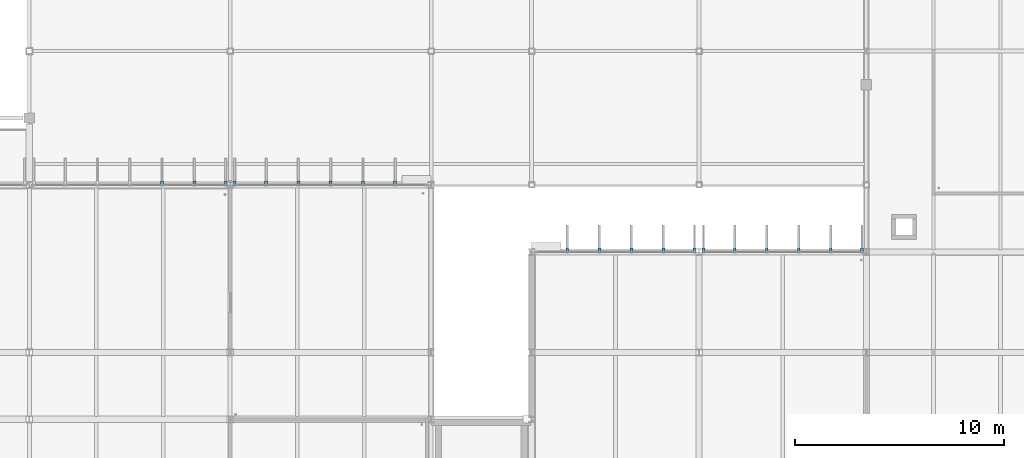
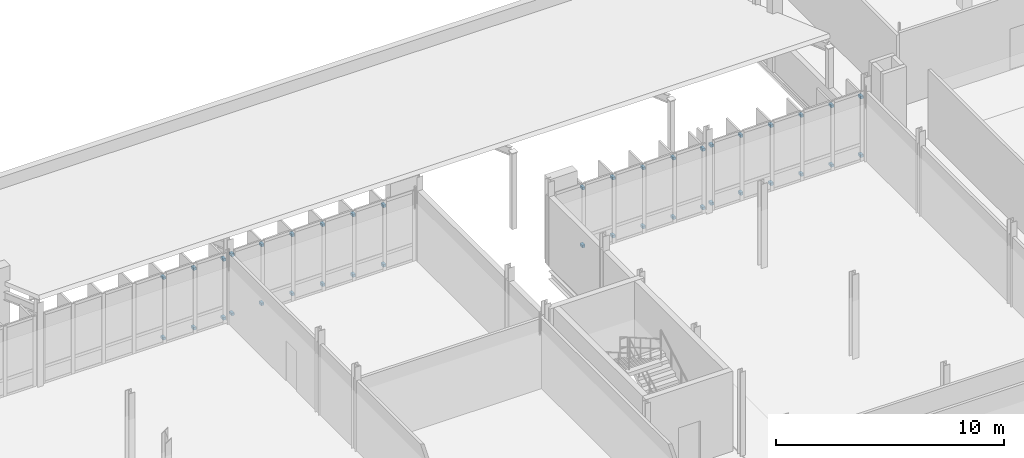
# One storey, part 95 of 107: 40 discrete accessories.
"""IFC4 building model written with IfcOpenShell, lengths in metres."""

from ifc_helpers import new_model, si_unit, direction, frame, origin, origin_2d, place, context, subcontext, project, spatial, rectangle, extrude, material, type_object, element, save


model = new_model("IFC4")

# Units and contexts
model_context = context("Model", 3, precision=1e-05, world=origin(), true_north=direction((0.0, 1.0)))
body_context = subcontext(model_context, "Body", "Model", "MODEL_VIEW")
ifc_project = project(units=[si_unit("LENGTHUNIT", "METRE"), si_unit("AREAUNIT", "SQUARE_METRE"), si_unit("VOLUMEUNIT", "CUBIC_METRE"), si_unit("PLANEANGLEUNIT", "RADIAN"), si_unit("MASSUNIT", "GRAM", prefix="KILO")], contexts=[model_context])

# Site, building, storey
site_placement = place(None, origin())
site = spatial("IfcSite", under=ifc_project, at=site_placement, CompositionType="ELEMENT")
building_placement = place(site_placement, origin())
building = spatial("IfcBuilding", under=site, at=building_placement, Name="Dunescarp Central Library", CompositionType="ELEMENT")
storey_placement = place(building_placement, frame((0.0, 0.0, 5.10009765625)))
storey = spatial("IfcBuildingStorey", under=building, at=storey_placement, Name="L01", CompositionType="ELEMENT", Elevation=5.10009765625)

# Discrete accessories
ifc_material = material(Name="Stainless steel Grade 316L", Category="steel")
discrete_accessory_type = type_object("IfcDiscreteAccessoryType", Name="ARC-ACC-BRK", PredefinedType="BRACKET", material=ifc_material)
for number, where, z_axis, x_axis, name in (
    (1, (63.94189453125, 36.8798828125, 0.18994140625), (0.0, 0.0, 1.0), (0.0, 1.0, 0.0), "Fin bracket BRK-FIN-L01-0369-B"),
    (2, (63.94189453125, 36.8798828125, 3.423828125), (0.0, 0.0, 1.0), (0.0, 1.0, 0.0), "Fin bracket BRK-FIN-L01-0369-T"),
    (3, (65.48291015625, 36.8798828125, 0.18994140625), (0.0, 0.0, 1.0), (0.0, 1.0, 0.0), "Fin bracket BRK-FIN-L01-0370-B"),
    (4, (65.48291015625, 36.8798828125, 3.3740234375), (0.0, 0.0, 1.0), (0.0, 1.0, 0.0), "Fin bracket BRK-FIN-L01-0370-T"),
    (5, (66.985107421875, 36.8798828125, 0.18994140625), (0.0, 0.0, 1.0), (0.0, 1.0, 0.0), "Fin bracket BRK-FIN-L01-0371-B"),
    (6, (66.985107421875, 36.8798828125, 3.3408203125), (0.0, 0.0, 1.0), (0.0, 1.0, 0.0), "Fin bracket BRK-FIN-L01-0371-T"),
    (7, (67.4150390625, 36.8798828125, 0.27685546875), (0.0, 0.0, 1.0), (0.0, 1.0, 0.0), "Fin bracket BRK-FIN-L01-0372-B"),
    (8, (67.4150390625, 36.8798828125, 3.43505859375), (0.0, 0.0, 1.0), (0.0, 1.0, 0.0), "Fin bracket BRK-FIN-L01-0372-T"),
    (9, (68.9169921875, 36.8798828125, 0.2900390625), (0.0, 0.0, 1.0), (0.0, 1.0, 0.0), "Fin bracket BRK-FIN-L01-0373-B"),
    (10, (68.9169921875, 36.8798828125, 3.43505859375), (0.0, 0.0, 1.0), (0.0, 1.0, 0.0), "Fin bracket BRK-FIN-L01-0373-T"),
    (11, (70.4580078125, 36.8798828125, 0.27392578125), (0.0, 0.0, 1.0), (0.0, 1.0, 0.0), "Fin bracket BRK-FIN-L01-0374-B"),
    (12, (70.4580078125, 36.8798828125, 3.43505859375), (0.0, 0.0, 1.0), (0.0, 1.0, 0.0), "Fin bracket BRK-FIN-L01-0374-T"),
    (13, (72.0, 36.8798828125, 0.23291015625), (0.0, 0.0, 1.0), (0.0, 1.0, 0.0), "Fin bracket BRK-FIN-L01-0375-B"),
    (14, (72.0, 36.8798828125, 3.43505859375), (0.0, 0.0, 1.0), (0.0, 1.0, 0.0), "Fin bracket BRK-FIN-L01-0375-T"),
    (15, (73.5419921875, 36.8798828125, 0.18994140625), (0.0, 0.0, 1.0), (0.0, 1.0, 0.0), "Fin bracket BRK-FIN-L01-0376-B"),
    (16, (73.5419921875, 36.8798828125, 3.423828125), (0.0, 0.0, 1.0), (0.0, 1.0, 0.0), "Fin bracket BRK-FIN-L01-0376-T"),
    (17, (75.0830078125, 36.8798828125, 0.18994140625), (0.0, 0.0, 1.0), (0.0, 1.0, 0.0), "Fin bracket BRK-FIN-L01-0377-B"),
    (18, (75.0830078125, 36.8798828125, 3.3740234375), (0.0, 0.0, 1.0), (0.0, 1.0, 0.0), "Fin bracket BRK-FIN-L01-0377-T"),
    (19, (83.304931640625, 33.679931640625, 0.2900390625), (0.0, 0.0, 1.0), (0.0, 1.0, 0.0), "Fin bracket BRK-FIN-L01-0605-B"),
    (20, (83.304931640625, 33.679931640625, 3.384765625), (0.0, 0.0, 1.0), (0.0, 1.0, 0.0), "Fin bracket BRK-FIN-L01-0605-T"),
    (21, (84.8349609375, 33.679931640625, 0.27392578125), (0.0, 0.0, 1.0), (0.0, 1.0, 0.0), "Fin bracket BRK-FIN-L01-0606-B"),
    (22, (84.8349609375, 33.679931640625, 3.384765625), (0.0, 0.0, 1.0), (0.0, 1.0, 0.0), "Fin bracket BRK-FIN-L01-0606-T"),
    (23, (86.364990234375, 33.679931640625, 0.23291015625), (0.0, 0.0, 1.0), (0.0, 1.0, 0.0), "Fin bracket BRK-FIN-L01-0607-B"),
    (24, (86.364990234375, 33.679931640625, 3.384765625), (0.0, 0.0, 1.0), (0.0, 1.0, 0.0), "Fin bracket BRK-FIN-L01-0607-T"),
    (25, (87.89501953125, 33.679931640625, 0.18994140625), (0.0, 0.0, 1.0), (0.0, 1.0, 0.0), "Fin bracket BRK-FIN-L01-0608-B"),
    (26, (87.89501953125, 33.679931640625, 3.3740234375), (0.0, 0.0, 1.0), (0.0, 1.0, 0.0), "Fin bracket BRK-FIN-L01-0608-T"),
    (27, (89.385009765625, 33.679931640625, 0.18994140625), (0.0, 0.0, 1.0), (0.0, 1.0, 0.0), "Fin bracket BRK-FIN-L01-0609-B"),
    (28, (89.385009765625, 33.679931640625, 3.32373046875), (0.0, 0.0, 1.0), (0.0, 1.0, 0.0), "Fin bracket BRK-FIN-L01-0609-T"),
    (29, (89.81494140625, 33.679931640625, 0.27685546875), (0.0, 0.0, 1.0), (0.0, 1.0, 0.0), "Fin bracket BRK-FIN-L01-0610-B"),
    (30, (89.81494140625, 33.679931640625, 3.384765625), (0.0, 0.0, 1.0), (0.0, 1.0, 0.0), "Fin bracket BRK-FIN-L01-0610-T"),
    (31, (91.304931640625, 33.679931640625, 0.2900390625), (0.0, 0.0, 1.0), (0.0, 1.0, 0.0), "Fin bracket BRK-FIN-L01-0611-B"),
    (32, (91.304931640625, 33.679931640625, 3.384765625), (0.0, 0.0, 1.0), (0.0, 1.0, 0.0), "Fin bracket BRK-FIN-L01-0611-T"),
    (33, (92.8349609375, 33.679931640625, 0.27392578125), (0.0, 0.0, 1.0), (0.0, 1.0, 0.0), "Fin bracket BRK-FIN-L01-0612-B"),
    (34, (92.8349609375, 33.679931640625, 3.384765625), (0.0, 0.0, 1.0), (0.0, 1.0, 0.0), "Fin bracket BRK-FIN-L01-0612-T"),
    (35, (94.364990234375, 33.679931640625, 0.23291015625), (0.0, 0.0, 1.0), (0.0, 1.0, 0.0), "Fin bracket BRK-FIN-L01-0613-B"),
    (36, (94.364990234375, 33.679931640625, 3.384765625), (0.0, 0.0, 1.0), (0.0, 1.0, 0.0), "Fin bracket BRK-FIN-L01-0613-T"),
    (37, (95.89501953125, 33.679931640625, 0.18994140625), (0.0, 0.0, 1.0), (0.0, 1.0, 0.0), "Fin bracket BRK-FIN-L01-0614-B"),
    (38, (95.89501953125, 33.679931640625, 3.3740234375), (0.0, 0.0, 1.0), (0.0, 1.0, 0.0), "Fin bracket BRK-FIN-L01-0614-T"),
    (39, (97.385009765625, 33.679931640625, 0.18994140625), (0.0, 0.0, 1.0), (0.0, 1.0, 0.0), "Fin bracket BRK-FIN-L01-0615-B"),
    (40, (97.385009765625, 33.679931640625, 3.32373046875), (0.0, 0.0, 1.0), (0.0, 1.0, 0.0), "Fin bracket BRK-FIN-L01-0615-T"),
):
    element("IfcDiscreteAccessory", number, at=place(storey_placement, frame(where, z_axis=z_axis, x_axis=x_axis)), inside=storey, type_object=discrete_accessory_type, Name=name, PredefinedType="BRACKET", context=body_context, shape_type="SweptSolid", body=[
        extrude(rectangle(XDim=0.219970703125, YDim=0.139892578125, at=origin_2d()), origin(), (0.0, 0.0, 1.0), 0.139892578125),
    ])

save(model, "model.ifc")
